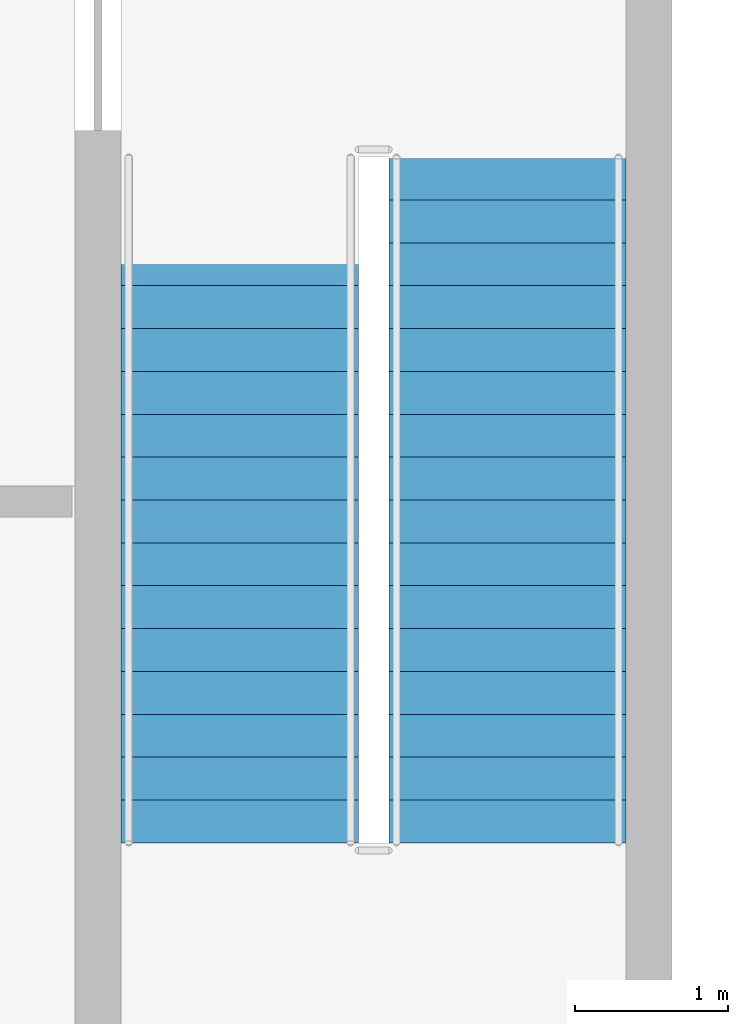
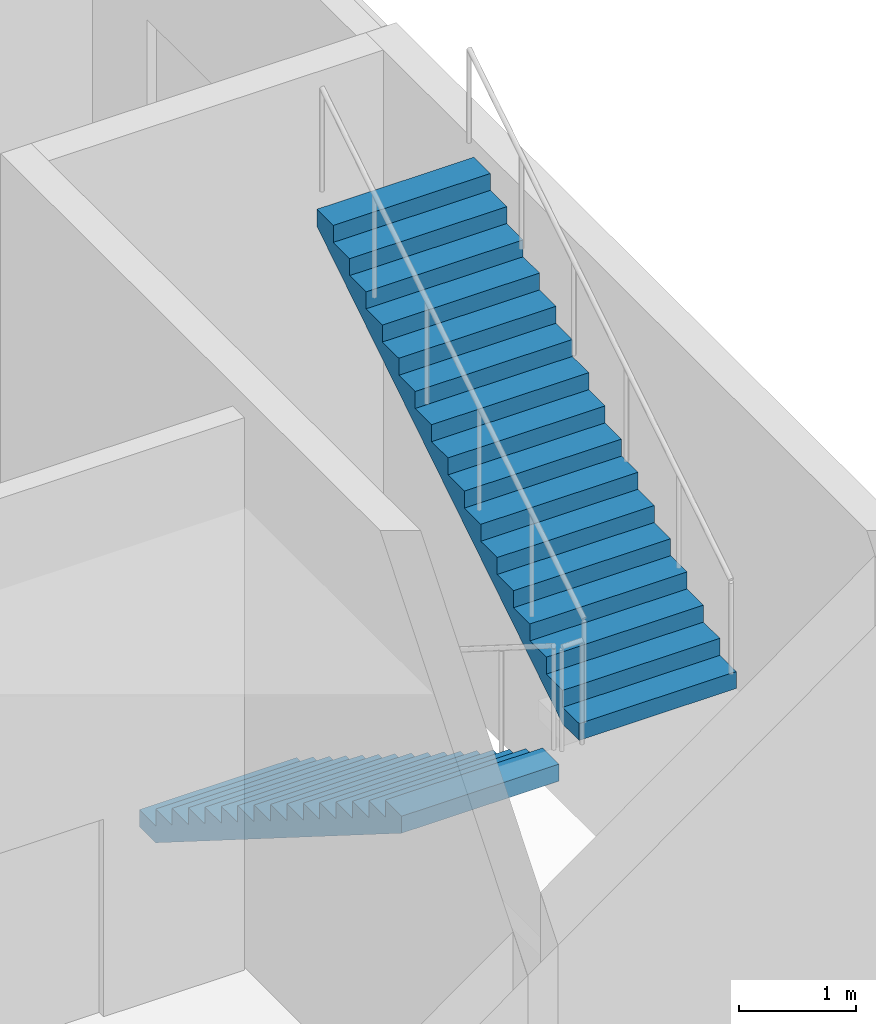
# One storey, part 14 of 22: 2 stair flights, 1 element without a shape of its own.
"""IFC4 building model written with IfcOpenShell, lengths in metres."""

from ifc_helpers import new_model, si_unit, direction, frame, origin, place, context, subcontext, project, spatial, polyline, outline, extrude, material, type_object, element, aggregate, save


model = new_model("IFC4")

# Units and contexts
model_context = context("Model", 3, precision=1e-05, world=origin(), true_north=direction((0.0, 1.0)))
body_context = subcontext(model_context, "Body", "Model", "MODEL_VIEW")
ifc_project = project(units=[si_unit("LENGTHUNIT", "METRE"), si_unit("AREAUNIT", "SQUARE_METRE"), si_unit("VOLUMEUNIT", "CUBIC_METRE"), si_unit("PLANEANGLEUNIT", "RADIAN"), si_unit("MASSUNIT", "GRAM", prefix="KILO")], contexts=[model_context])

# Site, building, storey
site_placement = place(None, origin())
site = spatial("IfcSite", under=ifc_project, at=site_placement, CompositionType="ELEMENT")
building_placement = place(site_placement, origin())
building = spatial("IfcBuilding", under=site, at=building_placement, Name="Lunette Opera House", CompositionType="ELEMENT")
storey_placement = place(building_placement, frame((0.0, 0.0, 28.0)))
storey = spatial("IfcBuildingStorey", under=building, at=storey_placement, Name="L05", CompositionType="ELEMENT", Elevation=28.0)

# Stair, stair flights
ifc_material_1 = material(Name="Concrete C35/45", Category="concrete")
stair_type = type_object("IfcStairType", Name="DOGLEG STAIR 1550", PredefinedType="HALF_TURN_STAIR", material=ifc_material_1)
stair_placement = place(storey_placement, origin())
stair = element("IfcStair", 1, at=stair_placement, inside=storey, type_object=stair_type, Name="L05 stair ST12", PredefinedType="HALF_TURN_STAIR")
ifc_material_2 = material(Name="Concrete C35/45", Category="concrete")
stair_flight_type = type_object("IfcStairFlightType", Name="STRAIGHT STAIR FLIGHT 1550", PredefinedType="STRAIGHT", material=ifc_material_2)
stair_flight_1_placement = place(storey_placement, frame((115.175048828125, 128.14990234375, 0.0), z_axis=(0.0, 0.0, 1.0), x_axis=(0.0, -1.0, 0.0)))
stair_flight_1 = element("IfcStairFlight", 2, at=stair_flight_1_placement, type_object=stair_flight_type, Name="ST12 flight 1", NumberOfRisers=17, NumberOfTreads=16, PredefinedType="STRAIGHT", RiserHeight=0.176470588, TreadLength=0.28, context=body_context, shape_type="SweptSolid", body=[
    extrude(outline(polyline([(0.0, 0.0), (0.0, 0.176513671875), (0.280029296875, 0.176513671875), (0.280029296875, 0.35302734375), (0.56005859375, 0.35302734375), (0.56005859375, 0.529296875), (0.840087890625, 0.529296875), (0.840087890625, 0.705810546875), (1.1201171875, 0.705810546875), (1.1201171875, 0.88232421875), (1.39990234375, 0.88232421875), (1.39990234375, 1.058837890625), (1.679931640625, 1.058837890625), (1.679931640625, 1.2353515625), (1.9599609375, 1.2353515625), (1.9599609375, 1.411865234375), (2.239990234375, 1.411865234375), (2.239990234375, 1.588134765625), (2.52001953125, 1.588134765625), (2.52001953125, 1.7646484375), (2.800048828125, 1.7646484375), (2.800048828125, 1.941162109375), (3.080078125, 1.941162109375), (3.080078125, 2.11767578125), (3.360107421875, 2.11767578125), (3.360107421875, 2.294189453125), (3.639892578125, 2.294189453125), (3.639892578125, 2.470703125), (3.919921875, 2.470703125), (3.919921875, 2.64697265625), (4.199951171875, 2.64697265625), (4.199951171875, 2.823486328125), (4.47998046875, 2.823486328125), (4.47998046875, 3.0), (4.47998046875, 2.646240234375), (0.28125, 0.0), (0.0, 0.0)])), frame((0.0, 0.77490234375, 0.0), z_axis=(0.0, -1.0, 0.0), x_axis=(1.0, 0.0, 0.0)), (0.0, 0.0, 1.0), 1.550048828125),
])
stair_flight_2_placement = place(storey_placement, frame((116.925048828125, 123.669921875, 3.0), z_axis=(0.0, 0.0, 1.0), x_axis=(0.0, 1.0, 0.0)))
stair_flight_2 = element("IfcStairFlight", 3, at=stair_flight_2_placement, type_object=stair_flight_type, Name="ST12 flight 2", NumberOfRisers=17, NumberOfTreads=16, PredefinedType="STRAIGHT", RiserHeight=0.176470588, TreadLength=0.28, context=body_context, shape_type="SweptSolid", body=[
    extrude(outline(polyline([(0.0, 0.0), (0.0, 0.176513671875), (0.280029296875, 0.176513671875), (0.280029296875, 0.35302734375), (0.56005859375, 0.35302734375), (0.56005859375, 0.529296875), (0.840087890625, 0.529296875), (0.840087890625, 0.705810546875), (1.1201171875, 0.705810546875), (1.1201171875, 0.88232421875), (1.39990234375, 0.88232421875), (1.39990234375, 1.058837890625), (1.679931640625, 1.058837890625), (1.679931640625, 1.2353515625), (1.9599609375, 1.2353515625), (1.9599609375, 1.411865234375), (2.239990234375, 1.411865234375), (2.239990234375, 1.588134765625), (2.52001953125, 1.588134765625), (2.52001953125, 1.7646484375), (2.800048828125, 1.7646484375), (2.800048828125, 1.941162109375), (3.080078125, 1.941162109375), (3.080078125, 2.11767578125), (3.360107421875, 2.11767578125), (3.360107421875, 2.294189453125), (3.639892578125, 2.294189453125), (3.639892578125, 2.470703125), (3.919921875, 2.470703125), (3.919921875, 2.64697265625), (4.199951171875, 2.64697265625), (4.199951171875, 2.823486328125), (4.47998046875, 2.823486328125), (4.47998046875, 3.0), (4.47998046875, 2.646240234375), (0.28125, 0.0), (0.0, 0.0)])), frame((0.0, 0.77490234375, 0.0), z_axis=(0.0, -1.0, 0.0), x_axis=(1.0, 0.0, 0.0)), (0.0, 0.0, 1.0), 1.550048828125),
])
aggregate(stair, [stair_flight_1, stair_flight_2])

save(model, "model.ifc")
